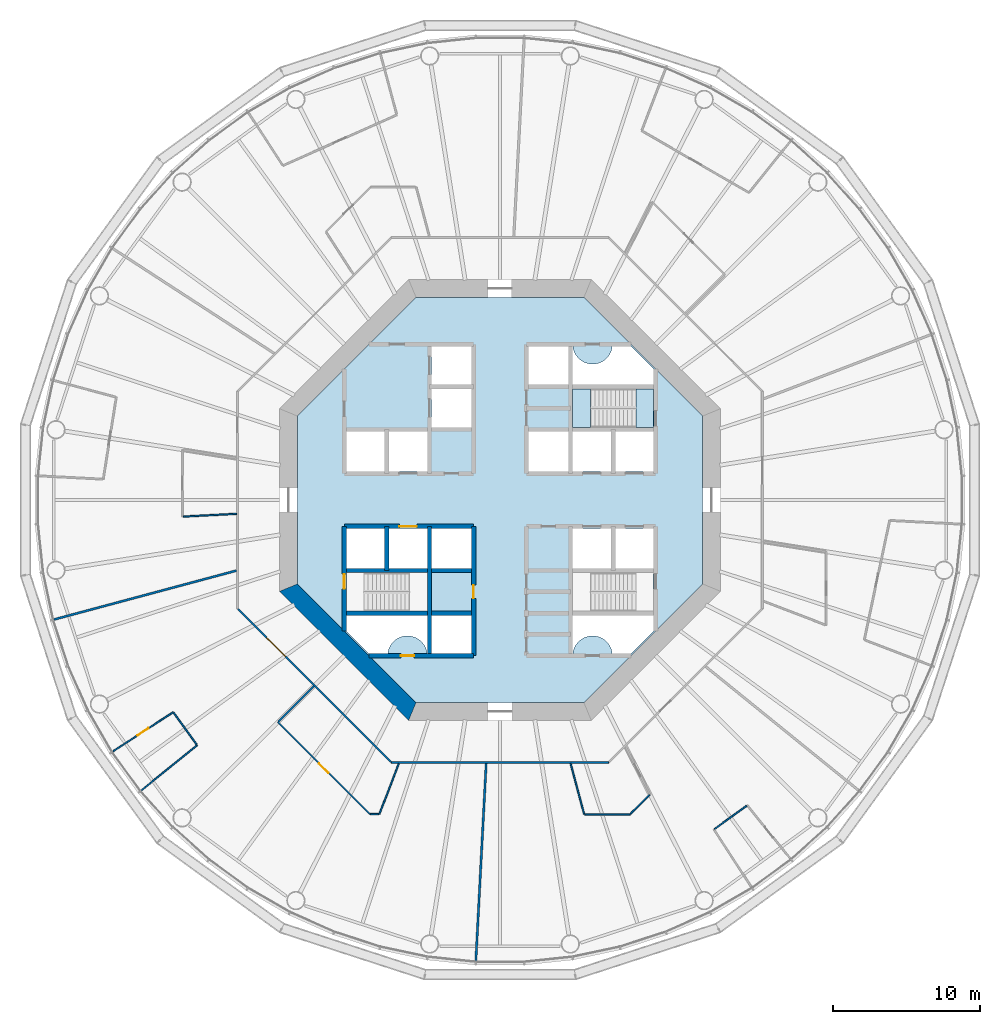
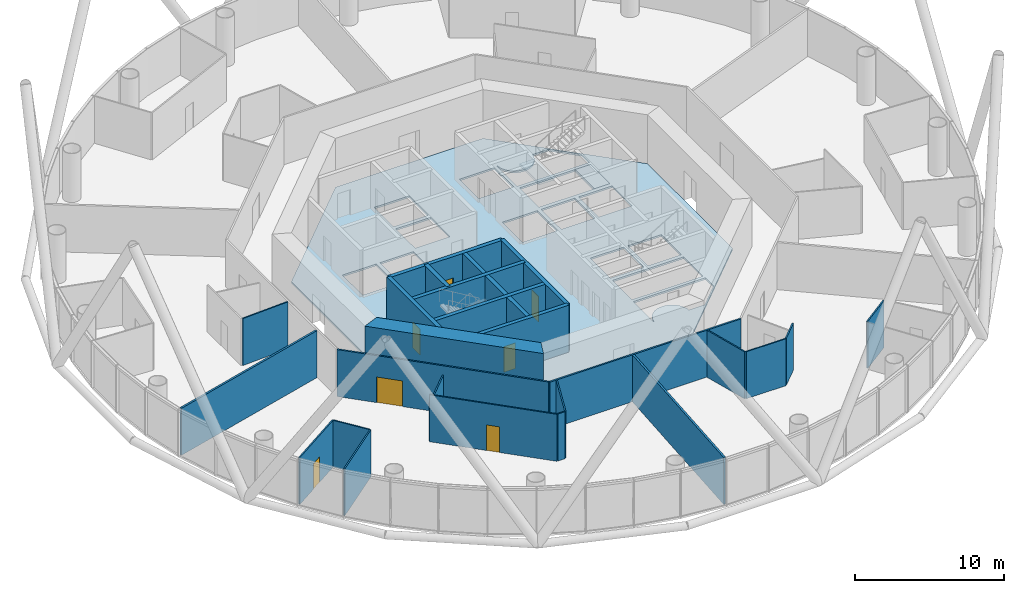
# One storey, part 3 of 14: 25 walls, 7 doors, 3 slabs, 7 openings, 1 element without a shape of its own.
"""IFC4 building model written with IfcOpenShell, lengths in metres."""

import ifcopenshell
import ifcopenshell.guid

model = None  # the IFC model being written
_history = None  # IfcOwnerHistory: only IFC2X3 demands one
_inside = {}  # id of a spatial element -> (the spatial element, [elements in it])
_under = {}  # id of a project, library or spatial element -> (it, [spatial elements below it])
_declared = {}  # id of a project -> (the project, [libraries it declares])
_typed = {}  # id of a type object -> (the type object, [elements of that type])
_made_of = {}  # id of a material, layer set ... -> (it, [elements and type objects made of it])


def new_model(schema):
    """Start an empty IFC model of exactly this schema.

    Asked for "IFC4X3", IfcOpenShell would pick the latest addendum, in which some entities
    have other attributes; the version numbers below select the first issue.
    IFC2X3 requires an IfcOwnerHistory on every rooted entity: one is made here for all.
    """
    global model, _history
    if schema == "IFC4X3":
        model = ifcopenshell.file(schema_version=(4, 3, 0, 0))
    else:
        model = ifcopenshell.file(schema=schema)
    _inside.clear()
    _under.clear()
    _declared.clear()
    _typed.clear()
    _made_of.clear()
    _history = None
    if model.schema == "IFC2X3":
        org = make("IfcOrganization", Name="unknown")
        user = make(
            "IfcPersonAndOrganization",
            ThePerson=make("IfcPerson", FamilyName="unknown"),
            TheOrganization=org,
        )
        app = make(
            "IfcApplication",
            ApplicationDeveloper=org,
            Version="unknown",
            ApplicationFullName="unknown",
            ApplicationIdentifier="unknown",
        )
        _history = make(
            "IfcOwnerHistory",
            OwningUser=user,
            OwningApplication=app,
            ChangeAction="ADDED",
            CreationDate=0,
        )
    return model


def make(cls, **values):
    """One entity of the class cls with the attributes given. An attribute that is None is left unset."""
    return model.create_entity(
        cls, **{name: value for name, value in values.items() if value is not None}
    )


def rooted(cls, **values):
    """An entity with a GlobalId (a new one), such as an element, a storey or a relation."""
    return make(cls, GlobalId=ifcopenshell.guid.new(), OwnerHistory=_history, **values)


def si_unit(unit_type, name, prefix=None):
    """IfcSIUnit, for example si_unit("LENGTHUNIT", "METRE", prefix="MILLI")."""
    return make("IfcSIUnit", UnitType=unit_type, Prefix=prefix, Name=name)


def assignment(units):
    """IfcUnitAssignment: the units of a project."""
    return None if units is None else make("IfcUnitAssignment", Units=units)


def point(xyz):
    """IfcCartesianPoint."""
    return None if xyz is None else make("IfcCartesianPoint", Coordinates=xyz)


def direction(xyz):
    """IfcDirection."""
    return None if xyz is None else make("IfcDirection", DirectionRatios=xyz)


def frame(location, z_axis=None, x_axis=None):
    """IfcAxis2Placement3D, a coordinate frame: its origin and axes. An axis left out is left unset."""
    return make(
        "IfcAxis2Placement3D",
        Location=point(location),
        Axis=direction(z_axis),
        RefDirection=direction(x_axis),
    )


def frame_2d(location, x_axis=None):
    """IfcAxis2Placement2D, a coordinate frame in the plane: its origin and x axis."""
    return make(
        "IfcAxis2Placement2D", Location=point(location), RefDirection=direction(x_axis)
    )


def origin():
    """The frame at (0, 0, 0) with its axes left unset."""
    return frame((0.0, 0.0, 0.0))


def place(relative_to, where):
    """IfcLocalPlacement: puts the frame where relative to a parent placement (None: the world)."""
    return make(
        "IfcLocalPlacement", PlacementRelTo=relative_to, RelativePlacement=where
    )


def context(
    kind, dimensions, precision=None, world=None, true_north=None, identifier=None
):
    """IfcGeometricRepresentationContext, for example the 3D "Model" context."""
    return make(
        "IfcGeometricRepresentationContext",
        ContextIdentifier=identifier,
        ContextType=kind,
        CoordinateSpaceDimension=dimensions,
        Precision=precision,
        WorldCoordinateSystem=world,
        TrueNorth=true_north,
    )


def subcontext(parent, identifier, kind, view, scale=None):
    """IfcGeometricRepresentationSubContext, for example "Body" below "Model"."""
    return make(
        "IfcGeometricRepresentationSubContext",
        ContextIdentifier=identifier,
        ContextType=kind,
        ParentContext=parent,
        TargetScale=scale,
        TargetView=view,
    )


def project(units=None, contexts=None):
    """IfcProject with its units and contexts."""
    return rooted(
        "IfcProject",
        Name="project",
        RepresentationContexts=contexts,
        UnitsInContext=assignment(units),
    )


def spatial(cls, under=None, at=None, **own):
    """A site, building, storey or space (cls), placed at a placement, below another one or the project."""
    s = rooted(cls, ObjectPlacement=at, **own)
    if under is not None:
        _under.setdefault(under.id(), (under, []))[1].append(s)
    return s


def polyline(points):
    """IfcPolyline through the points."""
    return make("IfcPolyline", Points=[point(p) for p in points])


def profile(cls, at=None, kind="AREA", **sizes):
    """A parametric profile (cls). Its sizes go by their IFC names, for example OverallWidth=200.0."""
    return make(cls, ProfileType=kind, Position=at, **sizes)


def rectangle(**sizes):
    """IfcRectangleProfileDef."""
    return profile("IfcRectangleProfileDef", **sizes)


def outline(outer, holes=None, kind="AREA"):
    """IfcArbitraryClosedProfileDef: a profile drawn as a closed curve; with holes, ...WithVoids."""
    if holes is None:
        return make("IfcArbitraryClosedProfileDef", ProfileType=kind, OuterCurve=outer)
    return make(
        "IfcArbitraryProfileDefWithVoids",
        ProfileType=kind,
        OuterCurve=outer,
        InnerCurves=holes,
    )


def extrude(swept, where, along, depth):
    """IfcExtrudedAreaSolid: the profile swept, set in the frame where, extruded along a direction by depth."""
    return make(
        "IfcExtrudedAreaSolid",
        SweptArea=swept,
        Position=where,
        ExtrudedDirection=direction(along),
        Depth=depth,
    )


def shape(context_of_items, identifier, shape_type, items):
    """IfcShapeRepresentation: the items that make up one representation, for example the "Body"."""
    return make(
        "IfcShapeRepresentation",
        ContextOfItems=context_of_items,
        RepresentationIdentifier=identifier,
        RepresentationType=shape_type,
        Items=items,
    )


def material(Name=None, Category=None):
    """IfcMaterial."""
    return make("IfcMaterial", Name=Name, Category=Category)


def layer(
    of_material, thickness, ventilated=None, Name=None, Category=None, Priority=None
):
    """IfcMaterialLayer: one layer of a wall or slab, of a material (None: an air gap)."""
    return make(
        "IfcMaterialLayer",
        Material=of_material,
        LayerThickness=thickness,
        IsVentilated=ventilated,
        Name=Name,
        Category=Category,
        Priority=Priority,
    )


def layer_set(layers, Name=None):
    """IfcMaterialLayerSet."""
    return make("IfcMaterialLayerSet", MaterialLayers=layers, LayerSetName=Name)


def made_of(thing, what):
    """Note that an element or type object is made of a material, layer set ...; save() writes the relation."""
    if what is not None:
        _made_of.setdefault(what.id(), (what, []))[1].append(thing)
    return thing


def type_object(cls, material=None, **own):
    """A type object (cls), such as IfcWallType, which elements share."""
    return made_of(rooted(cls, **own), material)


def element(
    cls,
    number,
    at=None,
    inside=None,
    cuts=None,
    type_object=None,
    material=None,
    context=None,
    identifier="Body",
    shape_type=None,
    held_by="IfcProductDefinitionShape",
    body=None,
    shapes=None,
    **own,
):
    """One element of the class cls, such as IfcWall. Its Tag is "e" and its number.

    at: its placement. inside: the storey or other place that contains it. cuts: it is an
    opening in that element (IfcRelVoidsElement). A single representation is given by context,
    identifier, shape_type and body (its items); several are given by shapes. held_by: the class
    of the entity that holds the representations. save() writes the other relations.
    """
    e = rooted(cls, Tag="e%d" % number, ObjectPlacement=at, **own)
    if body is not None:
        shapes = [shape(context, identifier, shape_type, body)]
    if shapes is not None:
        e.Representation = make(held_by, Representations=shapes)
    if inside is not None:
        _inside.setdefault(inside.id(), (inside, []))[1].append(e)
    if cuts is not None:
        rooted(
            "IfcRelVoidsElement", RelatingBuildingElement=cuts, RelatedOpeningElement=e
        )
    if type_object is not None:
        _typed.setdefault(type_object.id(), (type_object, []))[1].append(e)
    return made_of(e, material)


def fill(opening, filler):
    """IfcRelFillsElement: the door or window that sits in an opening."""
    return rooted(
        "IfcRelFillsElement",
        RelatingOpeningElement=opening,
        RelatedBuildingElement=filler,
    )


def aggregate(whole, parts):
    """IfcRelAggregates: a whole, such as a stair, and the parts it consists of."""
    return rooted("IfcRelAggregates", RelatingObject=whole, RelatedObjects=parts)


def save(model, path):
    """Write the relations noted so far, then the file.

    IfcRelAggregates (storeys below a building ...), IfcRelContainedInSpatialStructure (elements
    in a storey), IfcRelDefinesByType, IfcRelAssociatesMaterial and IfcRelDeclares: one each for
    every whole, place, type object, material and project.
    """
    for whole, parts in _under.values():
        aggregate(whole, parts)
    for where, things in _inside.values():
        rooted(
            "IfcRelContainedInSpatialStructure",
            RelatedElements=things,
            RelatingStructure=where,
        )
    for kind, things in _typed.values():
        rooted("IfcRelDefinesByType", RelatedObjects=things, RelatingType=kind)
    for what, things in _made_of.values():
        rooted("IfcRelAssociatesMaterial", RelatedObjects=things, RelatingMaterial=what)
    for by, libraries in _declared.values():
        rooted("IfcRelDeclares", RelatingContext=by, RelatedDefinitions=libraries)
    model.write(path)


model = new_model("IFC4")

# Units and contexts
model_context = context("Model", 3, precision=1e-05, world=origin(), true_north=direction((0.0, 1.0)))
body_context = subcontext(model_context, "Body", "Model", "MODEL_VIEW")
ifc_project = project(units=[si_unit("LENGTHUNIT", "METRE"), si_unit("AREAUNIT", "SQUARE_METRE"), si_unit("VOLUMEUNIT", "CUBIC_METRE"), si_unit("PLANEANGLEUNIT", "RADIAN"), si_unit("MASSUNIT", "GRAM", prefix="KILO")], contexts=[model_context])

# Site, building, storey
site_placement = place(None, origin())
site = spatial("IfcSite", under=ifc_project, at=site_placement, CompositionType="ELEMENT")
building_placement = place(site_placement, origin())
building = spatial("IfcBuilding", under=site, at=building_placement, Name="Entoto Ring Tower", CompositionType="ELEMENT")
storey_placement = place(building_placement, frame((0.0, 0.0, 80.0)))
storey = spatial("IfcBuildingStorey", under=building, at=storey_placement, Name="L17", CompositionType="ELEMENT", Elevation=80.0)

# Slab
ifc_material_1 = material(Name="Concrete C40/50", Category="concrete")
ifc_layer_1 = layer(ifc_material_1, 0.14990234375)
ifc_layer_set_1 = layer_set([ifc_layer_1], Name="Concrete C40/50")
slab_type_1 = type_object("IfcSlabType", Name="Core floor slab 150 mm reinforced concrete C40/50", PredefinedType="FLOOR", material=ifc_layer_set_1)
slab_1_placement = place(storey_placement, frame((0.0, 0.0, -0.14990234375)))
element("IfcSlab", 1, at=slab_1_placement, inside=storey, type_object=slab_type_1, Name="Core floor L17", PredefinedType="FLOOR", context=body_context, shape_type="SweptSolid", body=[
    extrude(outline(polyline([(103.800048828125, 74.283935546875), (103.800048828125, 85.716064453125), (95.716064453125, 93.800048828125), (84.283935546875, 93.800048828125), (76.199951171875, 85.716064453125), (76.199951171875, 74.283935546875), (84.283935546875, 66.199951171875), (95.716064453125, 66.199951171875), (103.800048828125, 74.283935546875)]), holes=[polyline([(100.449951171875, 84.949951171875), (100.449951171875, 87.550048828125), (94.949951171875, 87.550048828125), (94.949951171875, 84.949951171875), (100.449951171875, 84.949951171875)]), polyline([(85.050048828125, 72.449951171875), (85.050048828125, 75.050048828125), (79.550048828125, 75.050048828125), (79.550048828125, 72.449951171875), (85.050048828125, 72.449951171875)]), polyline([(100.449951171875, 72.449951171875), (100.449951171875, 75.050048828125), (94.949951171875, 75.050048828125), (94.949951171875, 72.449951171875), (100.449951171875, 72.449951171875)]), polyline([(94.949951171875, 81.949951171875), (97.550048828125, 81.949951171875), (97.550048828125, 84.64990234375), (94.949951171875, 84.64990234375), (94.949951171875, 81.949951171875)]), polyline([(97.85009765625, 81.949951171875), (100.449951171875, 81.949951171875), (100.449951171875, 84.64990234375), (97.85009765625, 84.64990234375), (97.85009765625, 81.949951171875)]), polyline([(82.449951171875, 81.949951171875), (85.050048828125, 81.949951171875), (85.050048828125, 84.64990234375), (82.449951171875, 84.64990234375), (82.449951171875, 81.949951171875)]), polyline([(94.949951171875, 75.35009765625), (97.550048828125, 75.35009765625), (97.550048828125, 78.050048828125), (94.949951171875, 78.050048828125), (94.949951171875, 75.35009765625)]), polyline([(97.85009765625, 75.35009765625), (100.449951171875, 75.35009765625), (100.449951171875, 78.050048828125), (97.85009765625, 78.050048828125), (97.85009765625, 75.35009765625)]), polyline([(82.449951171875, 75.35009765625), (85.050048828125, 75.35009765625), (85.050048828125, 78.050048828125), (82.449951171875, 78.050048828125), (82.449951171875, 75.35009765625)]), polyline([(79.550048828125, 81.949951171875), (82.14990234375, 81.949951171875), (82.14990234375, 84.64990234375), (79.550048828125, 84.64990234375), (79.550048828125, 81.949951171875)]), polyline([(79.550048828125, 75.35009765625), (82.14990234375, 75.35009765625), (82.14990234375, 78.050048828125), (79.550048828125, 78.050048828125), (79.550048828125, 75.35009765625)]), polyline([(91.949951171875, 87.85009765625), (94.64990234375, 87.85009765625), (94.64990234375, 90.449951171875), (91.949951171875, 90.449951171875), (91.949951171875, 87.85009765625)]), polyline([(85.35009765625, 69.550048828125), (88.050048828125, 69.550048828125), (88.050048828125, 72.14990234375), (85.35009765625, 72.14990234375), (85.35009765625, 69.550048828125)]), polyline([(91.949951171875, 81.949951171875), (94.64990234375, 81.949951171875), (94.64990234375, 84.64990234375), (91.949951171875, 84.64990234375), (91.949951171875, 81.949951171875)]), polyline([(85.35009765625, 75.35009765625), (88.050048828125, 75.35009765625), (88.050048828125, 78.050048828125), (85.35009765625, 78.050048828125), (85.35009765625, 75.35009765625)]), polyline([(85.35009765625, 84.949951171875), (88.050048828125, 84.949951171875), (88.050048828125, 87.550048828125), (85.35009765625, 87.550048828125), (85.35009765625, 84.949951171875)]), polyline([(85.35009765625, 87.85009765625), (88.050048828125, 87.85009765625), (88.050048828125, 90.449951171875), (85.35009765625, 90.449951171875), (85.35009765625, 87.85009765625)]), polyline([(94.89990234375, 90.5), (94.89990234375, 87.800048828125), (100.5, 87.800048828125), (100.5, 88.874755859375), (98.874755859375, 90.5), (97.64501953125, 90.5), (97.6435546875, 90.4677734375), (97.6240234375, 90.336669921875), (97.591796875, 90.2080078125), (97.547119140625, 90.08349609375), (97.490478515625, 89.963623046875), (97.422607421875, 89.85009765625), (97.343505859375, 89.74365234375), (97.254638671875, 89.6455078125), (97.156494140625, 89.556396484375), (97.050048828125, 89.4775390625), (96.936279296875, 89.409423828125), (96.816650390625, 89.352783203125), (96.69189453125, 89.30810546875), (96.5634765625, 89.27587890625), (96.432373046875, 89.256591796875), (96.300048828125, 89.25), (96.167724609375, 89.256591796875), (96.03662109375, 89.27587890625), (95.908203125, 89.30810546875), (95.783447265625, 89.352783203125), (95.66357421875, 89.409423828125), (95.550048828125, 89.4775390625), (95.443603515625, 89.556396484375), (95.345458984375, 89.6455078125), (95.25634765625, 89.74365234375), (95.177490234375, 89.85009765625), (95.109375, 89.963623046875), (95.052734375, 90.08349609375), (95.008056640625, 90.2080078125), (94.975830078125, 90.336669921875), (94.95654296875, 90.4677734375), (94.954833984375, 90.5), (94.89990234375, 90.5)]), polyline([(79.5, 71.125244140625), (81.125244140625, 69.5), (82.35498046875, 69.5), (82.3564453125, 69.5322265625), (82.3759765625, 69.663330078125), (82.408203125, 69.7919921875), (82.452880859375, 69.91650390625), (82.509521484375, 70.036376953125), (82.577392578125, 70.14990234375), (82.656494140625, 70.25634765625), (82.745361328125, 70.3544921875), (82.843505859375, 70.443603515625), (82.949951171875, 70.5224609375), (83.063720703125, 70.590576171875), (83.183349609375, 70.647216796875), (83.30810546875, 70.69189453125), (83.4365234375, 70.72412109375), (83.567626953125, 70.743408203125), (83.699951171875, 70.75), (83.832275390625, 70.743408203125), (83.96337890625, 70.72412109375), (84.091796875, 70.69189453125), (84.216552734375, 70.647216796875), (84.33642578125, 70.590576171875), (84.449951171875, 70.5224609375), (84.556396484375, 70.443603515625), (84.654541015625, 70.3544921875), (84.74365234375, 70.25634765625), (84.822509765625, 70.14990234375), (84.890625, 70.036376953125), (84.947265625, 69.91650390625), (84.991943359375, 69.7919921875), (85.024169921875, 69.663330078125), (85.04345703125, 69.5322265625), (85.045166015625, 69.5), (85.10009765625, 69.5), (85.10009765625, 72.199951171875), (79.5, 72.199951171875), (79.5, 71.125244140625)]), polyline([(97.64501953125, 69.5), (98.874755859375, 69.5), (100.5, 71.125244140625), (100.5, 72.199951171875), (94.89990234375, 72.199951171875), (94.89990234375, 69.5), (94.954833984375, 69.5), (94.95654296875, 69.5322265625), (94.975830078125, 69.663330078125), (95.008056640625, 69.7919921875), (95.052734375, 69.91650390625), (95.109375, 70.036376953125), (95.177490234375, 70.14990234375), (95.25634765625, 70.25634765625), (95.345458984375, 70.3544921875), (95.443603515625, 70.443603515625), (95.550048828125, 70.5224609375), (95.66357421875, 70.590576171875), (95.783447265625, 70.647216796875), (95.908203125, 70.69189453125), (96.03662109375, 70.72412109375), (96.167724609375, 70.743408203125), (96.300048828125, 70.75), (96.432373046875, 70.743408203125), (96.5634765625, 70.72412109375), (96.69189453125, 70.69189453125), (96.816650390625, 70.647216796875), (96.936279296875, 70.590576171875), (97.050048828125, 70.5224609375), (97.156494140625, 70.443603515625), (97.254638671875, 70.3544921875), (97.343505859375, 70.25634765625), (97.422607421875, 70.14990234375), (97.490478515625, 70.036376953125), (97.547119140625, 69.91650390625), (97.591796875, 69.7919921875), (97.6240234375, 69.663330078125), (97.6435546875, 69.5322265625), (97.64501953125, 69.5)])]), origin(), (0.0, 0.0, 1.0), 0.14990234375),
])

# Stair, slabs
ifc_material_2 = material(Name="Concrete C40/50", Category="concrete")
stair_type = type_object("IfcStairType", Name="Exit stair 1200 mm dog-leg reinforced concrete", PredefinedType="HALF_TURN_STAIR", material=ifc_material_2)
stair_placement = place(storey_placement, origin())
stair = element("IfcStair", 2, at=stair_placement, inside=storey, type_object=stair_type, Name="Exit stair 1", PredefinedType="HALF_TURN_STAIR")
ifc_material_3 = material(Name="Concrete C40/50", Category="concrete")
ifc_layer_2 = layer(ifc_material_3, 0.199951171875)
ifc_layer_set_2 = layer_set([ifc_layer_2], Name="Concrete C40/50")
slab_type_2 = type_object("IfcSlabType", Name="Stair landing 200 mm reinforced concrete", PredefinedType="LANDING", material=ifc_layer_set_2)
slab_2_placement = place(storey_placement, frame((0.0, 0.0, -0.199951171875)))
slab_2 = element("IfcSlab", 3, at=slab_2_placement, type_object=slab_type_2, Name="ST1 landing 1", PredefinedType="LANDING", context=body_context, shape_type="SweptSolid", body=[
    extrude(outline(polyline([(100.449951171875, 84.949951171875), (100.449951171875, 87.550048828125), (99.25, 87.550048828125), (99.25, 84.949951171875), (100.449951171875, 84.949951171875)])), origin(), (0.0, 0.0, 1.0), 0.199951171875),
])
slab_3_placement = place(storey_placement, frame((0.0, 0.0, 1.800048828125)))
slab_3 = element("IfcSlab", 4, at=slab_3_placement, type_object=slab_type_2, Name="ST1 landing 2", PredefinedType="LANDING", context=body_context, shape_type="SweptSolid", body=[
    extrude(outline(polyline([(94.949951171875, 84.949951171875), (96.169921875, 84.949951171875), (96.169921875, 87.550048828125), (94.949951171875, 87.550048828125), (94.949951171875, 84.949951171875)])), origin(), (0.0, 0.0, 1.0), 0.199951171875),
])
aggregate(stair, [slab_2, slab_3])

# Wall, opening, door
ifc_material_4 = material(Name="Concrete C40/50", Category="concrete")
ifc_layer_3 = layer(ifc_material_4, 0.300048828125)
ifc_layer_set_3 = layer_set([ifc_layer_3], Name="Concrete C40/50")
wall_type_1 = type_object("IfcWallType", Name="Core enclosure wall 300 mm reinforced concrete", PredefinedType="SOLIDWALL", material=ifc_layer_set_3)
wall_1_placement = place(storey_placement, frame((88.199951171875, 69.39990234375, 0.0), z_axis=(0.0, 0.0, 1.0), x_axis=(0.0, 1.0, 0.0)))
wall_1 = element("IfcWall", 5, at=wall_1_placement, inside=storey, type_object=wall_type_1, Name="wall-L17-009", PredefinedType="SOLIDWALL", context=body_context, shape_type="SweptSolid", body=[
    extrude(rectangle(XDim=8.800048828125, YDim=0.300048828125, at=frame_2d((4.39990234375, 0.0))), origin(), (0.0, 0.0, 1.0), 3.85009765625),
])
opening_1_placement = place(wall_1_placement, frame((3.89990234375, 0.0, 0.0)))
opening_1 = element("IfcOpeningElement", 6, at=opening_1_placement, cuts=wall_1, Name="Opening K-57", PredefinedType="OPENING", context=body_context, shape_type="SweptSolid", body=[
    extrude(rectangle(XDim=0.89990234375, YDim=2.10009765625, at=frame_2d((0.449951171875, 1.050048828125))), frame((0.0, 0.16015625, 0.0), z_axis=(0.0, -1.0, 0.0), x_axis=(1.0, 0.0, 0.0)), (0.0, 0.0, 1.0), 0.320068359375),
])
ifc_material_5 = material(Name="Steel door leaf, fire rated", Category="steel")
ifc_layer_4 = layer(ifc_material_5, 0.050048828125)
ifc_layer_set_4 = layer_set([ifc_layer_4], Name="Steel door leaf, fire rated")
door_type_1 = type_object("IfcDoorType", Name="Core door 900 x 2100 single leaf", OperationType="NOTDEFINED", PredefinedType="DOOR", material=ifc_layer_set_4)
door_1_placement = place(opening_1_placement, origin())
door_1 = element("IfcDoor", 7, at=door_1_placement, inside=storey, type_object=door_type_1, Name="Door K-57", OperationType="SINGLE_SWING_RIGHT", OverallHeight=2.10009765625, OverallWidth=0.89990234375, PredefinedType="DOOR", context=body_context, shape_type="SweptSolid", body=[
    extrude(rectangle(XDim=0.89990234375, YDim=2.10009765625, at=frame_2d((0.449951171875, 1.050048828125))), frame((0.0, 0.02490234375, 0.0), z_axis=(0.0, -1.0, 0.0), x_axis=(1.0, 0.0, 0.0)), (0.0, 0.0, 1.0), 0.050048828125),
])
fill(opening_1, door_1)

# Walls
wall_2_placement = place(storey_placement, frame((85.199951171875, 69.39990234375, 0.0), z_axis=(0.0, 0.0, 1.0), x_axis=(0.0, 1.0, 0.0)))
element("IfcWall", 8, at=wall_2_placement, inside=storey, type_object=wall_type_1, Name="wall-L17-011", PredefinedType="SOLIDWALL", context=body_context, shape_type="SweptSolid", body=[
    extrude(rectangle(XDim=8.800048828125, YDim=0.300048828125, at=frame_2d((4.39990234375, 0.0))), origin(), (0.0, 0.0, 1.0), 3.85009765625),
])
wall_3_placement = place(storey_placement, frame((82.300048828125, 75.199951171875, 0.0), z_axis=(0.0, 0.0, 1.0), x_axis=(0.0, 1.0, 0.0)))
element("IfcWall", 9, at=wall_3_placement, inside=storey, type_object=wall_type_1, Name="wall-L17-013", PredefinedType="SOLIDWALL", context=body_context, shape_type="SweptSolid", body=[
    extrude(rectangle(XDim=3.0, YDim=0.300048828125, at=frame_2d((1.5, 0.0))), origin(), (0.0, 0.0, 1.0), 3.85009765625),
])

# Wall, opening, door
wall_4_placement = place(storey_placement, frame((79.39990234375, 71.083984375, 0.0), z_axis=(0.0, 0.0, 1.0), x_axis=(0.0, 1.0, 0.0)))
wall_4 = element("IfcWall", 10, at=wall_4_placement, inside=storey, type_object=wall_type_1, Name="wall-L17-015", PredefinedType="SOLIDWALL", context=body_context, shape_type="SweptSolid", body=[
    extrude(rectangle(XDim=7.115966796875, YDim=0.300048828125, at=frame_2d((3.55810546875, 0.0))), origin(), (0.0, 0.0, 1.0), 3.85009765625),
])
opening_2_placement = place(wall_4_placement, frame((2.8662109375, 0.0, 0.0)))
opening_2 = element("IfcOpeningElement", 11, at=opening_2_placement, cuts=wall_4, Name="Opening K-67", PredefinedType="OPENING", context=body_context, shape_type="SweptSolid", body=[
    extrude(rectangle(XDim=1.0, YDim=2.10009765625, at=frame_2d((0.5, 1.050048828125))), frame((0.0, 0.16015625, 0.0), z_axis=(0.0, -1.0, 0.0), x_axis=(1.0, 0.0, 0.0)), (0.0, 0.0, 1.0), 0.320068359375),
])
ifc_material_6 = material(Name="Steel door leaf, fire rated", Category="steel")
ifc_layer_5 = layer(ifc_material_6, 0.050048828125)
ifc_layer_set_5 = layer_set([ifc_layer_5], Name="Steel door leaf, fire rated")
door_type_2 = type_object("IfcDoorType", Name="Fire door FD60 1000 x 2100 single leaf", OperationType="NOTDEFINED", PredefinedType="DOOR", material=ifc_layer_set_5)
door_2_placement = place(opening_2_placement, frame((1.0, 0.0, 0.0), z_axis=(0.0, 0.0, 1.0), x_axis=(-1.0, 0.0, 0.0)))
door_2 = element("IfcDoor", 12, at=door_2_placement, inside=storey, type_object=door_type_2, Name="Door K-67", OperationType="SINGLE_SWING_LEFT", OverallHeight=2.10009765625, OverallWidth=1.0, PredefinedType="DOOR", context=body_context, shape_type="SweptSolid", body=[
    extrude(rectangle(XDim=1.0, YDim=2.10009765625, at=frame_2d((0.5, 1.050048828125))), frame((0.0, 0.02490234375, 0.0), z_axis=(0.0, -1.0, 0.0), x_axis=(1.0, 0.0, 0.0)), (0.0, 0.0, 1.0), 0.050048828125),
])
fill(opening_2, door_2)

wall_5_placement = place(storey_placement, frame((81.083984375, 69.39990234375, 0.0), z_axis=(0.0, 0.0, 1.0), x_axis=(1.0, 0.0, 0.0)))
wall_5 = element("IfcWall", 13, at=wall_5_placement, inside=storey, type_object=wall_type_1, Name="wall-L17-017", PredefinedType="SOLIDWALL", context=body_context, shape_type="SweptSolid", body=[
    extrude(rectangle(XDim=7.115966796875, YDim=0.300048828125, at=frame_2d((3.55810546875, 0.0))), origin(), (0.0, 0.0, 1.0), 3.85009765625),
])
opening_3_placement = place(wall_5_placement, frame((2.166015625, 0.0, 0.0)))
opening_3 = element("IfcOpeningElement", 14, at=opening_3_placement, cuts=wall_5, Name="Opening K-74", PredefinedType="OPENING", context=body_context, shape_type="SweptSolid", body=[
    extrude(rectangle(XDim=0.89990234375, YDim=2.10009765625, at=frame_2d((0.449951171875, 1.050048828125))), frame((0.0, 0.16015625, 0.0), z_axis=(0.0, -1.0, 0.0), x_axis=(1.0, 0.0, 0.0)), (0.0, 0.0, 1.0), 0.320068359375),
])
ifc_material_7 = material(Name="Steel door leaf, fire rated", Category="steel")
ifc_layer_6 = layer(ifc_material_7, 0.050048828125)
ifc_layer_set_6 = layer_set([ifc_layer_6], Name="Steel door leaf, fire rated")
door_type_3 = type_object("IfcDoorType", Name="Riser door FD60 900 x 2100 single leaf", OperationType="NOTDEFINED", PredefinedType="DOOR", material=ifc_layer_set_6)
door_3_placement = place(opening_3_placement, origin())
door_3 = element("IfcDoor", 15, at=door_3_placement, inside=storey, type_object=door_type_3, Name="Door K-74", OperationType="SINGLE_SWING_RIGHT", OverallHeight=2.10009765625, OverallWidth=0.89990234375, PredefinedType="DOOR", context=body_context, shape_type="SweptSolid", body=[
    extrude(rectangle(XDim=0.89990234375, YDim=2.10009765625, at=frame_2d((0.449951171875, 1.050048828125))), frame((0.0, 0.02490234375, 0.0), z_axis=(0.0, -1.0, 0.0), x_axis=(1.0, 0.0, 0.0)), (0.0, 0.0, 1.0), 0.050048828125),
])
fill(opening_3, door_3)

# Walls
for number, where, z_axis, x_axis, name in (
    (16, (79.39990234375, 72.300048828125, 0.0), (0.0, 0.0, 1.0), (1.0, 0.0, 0.0), "wall-L17-020"),
    (17, (79.39990234375, 75.199951171875, 0.0), (0.0, 0.0, 1.0), (1.0, 0.0, 0.0), "wall-L17-023"),
):
    element("IfcWall", number, at=place(storey_placement, frame(where, z_axis=z_axis, x_axis=x_axis)), inside=storey, type_object=wall_type_1, Name=name, PredefinedType="SOLIDWALL", context=body_context, shape_type="SweptSolid", body=[
        extrude(rectangle(XDim=8.800048828125, YDim=0.300048828125, at=frame_2d((4.39990234375, 0.0))), origin(), (0.0, 0.0, 1.0), 3.85009765625),
    ])

# Wall, opening, door
wall_6_placement = place(storey_placement, frame((79.39990234375, 78.199951171875, 0.0), z_axis=(0.0, 0.0, 1.0), x_axis=(1.0, 0.0, 0.0)))
wall_6 = element("IfcWall", 18, at=wall_6_placement, inside=storey, type_object=wall_type_1, Name="wall-L17-025", PredefinedType="SOLIDWALL", context=body_context, shape_type="SweptSolid", body=[
    extrude(rectangle(XDim=8.800048828125, YDim=0.300048828125, at=frame_2d((4.39990234375, 0.0))), origin(), (0.0, 0.0, 1.0), 3.85009765625),
])
opening_4_placement = place(wall_6_placement, frame((3.75, 0.0, 0.0)))
opening_4 = element("IfcOpeningElement", 19, at=opening_4_placement, cuts=wall_6, Name="Opening LD", PredefinedType="OPENING", context=body_context, shape_type="SweptSolid", body=[
    extrude(rectangle(XDim=1.199951171875, YDim=2.10009765625, at=frame_2d((0.60009765625, 1.050048828125))), frame((0.0, 0.16015625, 0.0), z_axis=(0.0, -1.0, 0.0), x_axis=(1.0, 0.0, 0.0)), (0.0, 0.0, 1.0), 0.320068359375),
])
ifc_material_8 = material(Name="Steel and glass door leaf", Category="steel")
ifc_layer_7 = layer(ifc_material_8, 0.050048828125)
ifc_layer_set_7 = layer_set([ifc_layer_7], Name="Steel and glass door leaf")
door_type_4 = type_object("IfcDoorType", Name="Landing door 1200 x 2100 sliding", OperationType="DOUBLE_DOOR_SLIDING", PredefinedType="DOOR", material=ifc_layer_set_7)
door_4_placement = place(opening_4_placement, origin())
door_4 = element("IfcDoor", 20, at=door_4_placement, inside=storey, type_object=door_type_4, Name="Landing door LB6-LR", OperationType="SLIDING_TO_RIGHT", OverallHeight=2.10009765625, OverallWidth=1.199951171875, PredefinedType="DOOR", context=body_context, shape_type="SweptSolid", body=[
    extrude(rectangle(XDim=1.199951171875, YDim=2.10009765625, at=frame_2d((0.60009765625, 1.050048828125))), frame((0.0, 0.02490234375, 0.0), z_axis=(0.0, -1.0, 0.0), x_axis=(1.0, 0.0, 0.0)), (0.0, 0.0, 1.0), 0.050048828125),
])
fill(opening_4, door_4)

# Walls
ifc_material_9 = material(Name="Concrete C60/75", Category="concrete")
ifc_layer_8 = layer(ifc_material_9, 1.199951171875)
ifc_layer_set_8 = layer_set([ifc_layer_8], Name="Concrete C60/75")
wall_type_2 = type_object("IfcWallType", Name="Core shear wall 1200 mm reinforced concrete C60/75", PredefinedType="SHEAR", material=ifc_layer_set_8)
wall_7_placement = place(storey_placement, frame((75.60009765625, 74.035400390625, 0.0), z_axis=(0.0, 0.0, 1.0), x_axis=(0.707106781187, -0.707106781187, 0.0)))
element("IfcWall", 21, at=wall_7_placement, inside=storey, type_object=wall_type_2, Name="wall-L17-core-5", PredefinedType="SHEAR", context=body_context, shape_type="SweptSolid", body=[
    extrude(outline(polyline([(-0.24853515625, -0.60009765625), (12.177734375, -0.60009765625), (11.6806640625, 0.60009765625), (0.24853515625, 0.60009765625), (-0.24853515625, -0.60009765625)])), origin(), (0.0, 0.0, 1.0), 4.0),
])
ifc_material_10 = material(Name="Fire-resisting plasterboard on steel studs", Category="steel")
ifc_layer_9 = layer(ifc_material_10, 0.125)
ifc_layer_set_9 = layer_set([ifc_layer_9], Name="Fire-resisting plasterboard on steel studs")
wall_type_3 = type_object("IfcWallType", Name="Corridor wall 125 mm one-hour plasterboard on steel studs", PredefinedType="PARTITIONING", material=ifc_layer_set_9)
wall_8_placement = place(storey_placement, frame((82.60107421875, 62.137451171875, 0.0), z_axis=(0.0, 0.0, 1.0), x_axis=(1.0, 0.0, 0.0)))
element("IfcWall", 22, at=wall_8_placement, inside=storey, type_object=wall_type_3, Name="partition-L17-002", PredefinedType="PARTITIONING", context=body_context, shape_type="SweptSolid", body=[
    extrude(rectangle(XDim=14.7978515625, YDim=0.125, at=frame_2d((7.39892578125, 0.0))), origin(), (0.0, 0.0, 1.0), 3.85009765625),
])

# Wall, opening, door
wall_9_placement = place(storey_placement, frame((82.570068359375, 62.168701171875, 0.0), z_axis=(0.0, 0.0, 1.0), x_axis=(-0.707106781187, 0.707106781187, 0.0)))
wall_9 = element("IfcWall", 23, at=wall_9_placement, inside=storey, type_object=wall_type_3, Name="partition-L17-006", PredefinedType="PARTITIONING", context=body_context, shape_type="SweptSolid", body=[
    extrude(rectangle(XDim=14.709716796875, YDim=0.125, at=frame_2d((7.35498046875, 0.0))), origin(), (0.0, 0.0, 1.0), 3.85009765625),
])
opening_5_placement = place(wall_9_placement, frame((10.154296875, 0.0, 0.0)))
opening_5 = element("IfcOpeningElement", 24, at=opening_5_placement, cuts=wall_9, Name="Opening A08-D13", PredefinedType="OPENING", context=body_context, shape_type="SweptSolid", body=[
    extrude(rectangle(XDim=1.800048828125, YDim=2.10009765625, at=frame_2d((0.89990234375, 1.050048828125))), frame((0.0, 0.072509765625, 0.0), z_axis=(0.0, -1.0, 0.0), x_axis=(1.0, 0.0, 0.0)), (0.0, 0.0, 1.0), 0.14501953125),
])
ifc_material_11 = material(Name="Fire-resisting timber door set", Category="wood")
door_type_5 = type_object("IfcDoorType", Name="Door 1800 x 2100 double leaf FD30S fire door", OperationType="DOUBLE_DOOR_SINGLE_SWING", PredefinedType="DOOR", material=ifc_material_11)
door_5_placement = place(opening_5_placement, origin())
door_5 = element("IfcDoor", 25, at=door_5_placement, inside=storey, type_object=door_type_5, Name="Door A08-D13", OperationType="DOUBLE_DOOR_SINGLE_SWING", OverallHeight=2.10009765625, OverallWidth=1.800048828125, PredefinedType="DOOR", context=body_context, shape_type="SweptSolid", body=[
    extrude(rectangle(XDim=1.800048828125, YDim=2.10009765625, at=frame_2d((0.89990234375, 1.050048828125))), frame((0.0, 0.02490234375, 0.0), z_axis=(0.0, -1.0, 0.0), x_axis=(1.0, 0.0, 0.0)), (0.0, 0.0, 1.0), 0.050048828125),
])
fill(opening_5, door_5)

ifc_material_12 = material(Name="Plasterboard on steel studs", Category="steel")
ifc_layer_10 = layer(ifc_material_12, 0.10009765625)
ifc_layer_set_10 = layer_set([ifc_layer_10], Name="Plasterboard on steel studs")
wall_type_4 = type_object("IfcWallType", Name="Partition 100 mm plasterboard on steel studs", PredefinedType="PARTITIONING", material=ifc_layer_set_10)
wall_10_placement = place(storey_placement, frame((81.14306640625, 58.617431640625, 0.0), z_axis=(0.0, 0.0, 1.0), x_axis=(-0.707092998638, 0.707120563467, 0.0)))
wall_10 = element("IfcWall", 26, at=wall_10_placement, inside=storey, type_object=wall_type_4, Name="partition-L17-015", PredefinedType="PARTITIONING", context=body_context, shape_type="SweptSolid", body=[
    extrude(rectangle(XDim=8.85693359375, YDim=0.10009765625, at=frame_2d((4.428466796875, 0.0))), origin(), (0.0, 0.0, 1.0), 3.85009765625),
])
opening_6_placement = place(wall_10_placement, frame((3.978515625, 0.0, 0.0)))
opening_6 = element("IfcOpeningElement", 27, at=opening_6_placement, cuts=wall_10, Name="Opening A08-D14", PredefinedType="OPENING", context=body_context, shape_type="SweptSolid", body=[
    extrude(rectangle(XDim=0.89990234375, YDim=2.10009765625, at=frame_2d((0.449951171875, 1.050048828125))), frame((0.0, 0.06005859375, 0.0), z_axis=(0.0, -1.0, 0.0), x_axis=(1.0, 0.0, 0.0)), (0.0, 0.0, 1.0), 0.1201171875),
])
ifc_material_13 = material(Name="Veneered timber door leaf in timber frame", Category="wood")
door_type_6 = type_object("IfcDoorType", Name="Door 900 x 2100 single leaf timber veneer", OperationType="NOTDEFINED", PredefinedType="DOOR", material=ifc_material_13)
door_6_placement = place(opening_6_placement, frame((0.89990234375, 0.0, 0.0), z_axis=(0.0, 0.0, 1.0), x_axis=(-1.0, 0.0, 0.0)))
door_6 = element("IfcDoor", 28, at=door_6_placement, inside=storey, type_object=door_type_6, Name="Door A08-D14", OperationType="SINGLE_SWING_LEFT", OverallHeight=2.10009765625, OverallWidth=0.89990234375, PredefinedType="DOOR", context=body_context, shape_type="SweptSolid", body=[
    extrude(rectangle(XDim=0.89990234375, YDim=2.10009765625, at=frame_2d((0.449951171875, 1.050048828125))), frame((0.0, 0.02490234375, 0.0), z_axis=(0.0, -1.0, 0.0), x_axis=(1.0, 0.0, 0.0)), (0.0, 0.0, 1.0), 0.050048828125),
])
fill(opening_6, door_6)

wall_11_placement = place(storey_placement, frame((63.632080078125, 62.87646484375, 0.0), z_axis=(0.0, 0.0, 1.0), x_axis=(0.838677075935, 0.544629013458, 0.0)))
wall_11 = element("IfcWall", 29, at=wall_11_placement, inside=storey, type_object=wall_type_4, Name="partition-L17-022", PredefinedType="PARTITIONING", context=body_context, shape_type="SweptSolid", body=[
    extrude(rectangle(XDim=4.920166015625, YDim=0.10009765625, at=frame_2d((2.4599609375, 0.0))), origin(), (0.0, 0.0, 1.0), 3.85009765625),
])
opening_7_placement = place(wall_11_placement, frame((2.010009765625, 0.0, 0.0)))
opening_7 = element("IfcOpeningElement", 30, at=opening_7_placement, cuts=wall_11, Name="Opening A08-D15", PredefinedType="OPENING", context=body_context, shape_type="SweptSolid", body=[
    extrude(rectangle(XDim=0.89990234375, YDim=2.10009765625, at=frame_2d((0.449951171875, 1.050048828125))), frame((0.0, 0.06005859375, 0.0), z_axis=(0.0, -1.0, 0.0), x_axis=(1.0, 0.0, 0.0)), (0.0, 0.0, 1.0), 0.1201171875),
])
door_7_placement = place(opening_7_placement, frame((0.89990234375, 0.0, 0.0), z_axis=(0.0, 0.0, 1.0), x_axis=(-1.0, 0.0, 0.0)))
door_7 = element("IfcDoor", 31, at=door_7_placement, inside=storey, type_object=door_type_6, Name="Door A08-D15", OperationType="SINGLE_SWING_RIGHT", OverallHeight=2.10009765625, OverallWidth=0.89990234375, PredefinedType="DOOR", context=body_context, shape_type="SweptSolid", body=[
    extrude(rectangle(XDim=0.89990234375, YDim=2.10009765625, at=frame_2d((0.449951171875, 1.050048828125))), frame((0.0, 0.02490234375, 0.0), z_axis=(0.0, -1.0, 0.0), x_axis=(1.0, 0.0, 0.0)), (0.0, 0.0, 1.0), 0.050048828125),
])
fill(opening_7, door_7)

# Walls
wall_12_placement = place(storey_placement, frame((65.56640625, 60.214111328125, 0.0), z_axis=(0.0, 0.0, 1.0), x_axis=(0.777166286513, 0.629295290867, 0.0)))
element("IfcWall", 32, at=wall_12_placement, inside=storey, type_object=wall_type_4, Name="partition-L17-023", PredefinedType="PARTITIONING", context=body_context, shape_type="SweptSolid", body=[
    extrude(rectangle(XDim=4.920166015625, YDim=0.10009765625, at=frame_2d((2.4599609375, 0.0))), origin(), (0.0, 0.0, 1.0), 3.85009765625),
])
wall_13_placement = place(storey_placement, frame((81.7919921875, 58.617431640625, 0.0), z_axis=(0.0, 0.0, 1.0), x_axis=(0.358352911107, 0.933586199074, 0.0)))
element("IfcWall", 33, at=wall_13_placement, inside=storey, type_object=wall_type_4, Name="partition-L17-041", PredefinedType="PARTITIONING", context=body_context, shape_type="SweptSolid", body=[
    extrude(rectangle(XDim=3.684326171875, YDim=0.10009765625, at=frame_2d((1.84228515625, 0.0))), origin(), (0.0, 0.0, 1.0), 3.85009765625),
])
wall_14_placement = place(storey_placement, frame((68.4501953125, 78.87060546875, 0.0), z_axis=(0.0, 0.0, 1.0), x_axis=(0.998628036572, 0.052364535449, 0.0)))
element("IfcWall", 34, at=wall_14_placement, inside=storey, type_object=wall_type_4, Name="partition-L17-042", PredefinedType="PARTITIONING", context=body_context, shape_type="SweptSolid", body=[
    extrude(rectangle(XDim=3.627197265625, YDim=0.10009765625, at=frame_2d((1.8134765625, 0.0))), origin(), (0.0, 0.0, 1.0), 3.85009765625),
])
wall_15_placement = place(storey_placement, frame((95.732177734375, 58.607421875, 0.0), z_axis=(0.0, 0.0, 1.0), x_axis=(-0.258835028784, 0.965921543333, 0.0)))
element("IfcWall", 35, at=wall_15_placement, inside=storey, type_object=wall_type_4, Name="partition-L17-044", PredefinedType="PARTITIONING", context=body_context, shape_type="SweptSolid", body=[
    extrude(rectangle(XDim=3.57666015625, YDim=0.10009765625, at=frame_2d((1.788330078125, 0.0))), origin(), (0.0, 0.0, 1.0), 3.85009765625),
])
wall_16_placement = place(storey_placement, frame((95.7802734375, 58.607421875, 0.0), z_axis=(0.0, 0.0, 1.0), x_axis=(1.0, 0.0, 0.0)))
element("IfcWall", 36, at=wall_16_placement, inside=storey, type_object=wall_type_4, Name="partition-L17-048", PredefinedType="PARTITIONING", context=body_context, shape_type="SweptSolid", body=[
    extrude(rectangle(XDim=3.080810546875, YDim=0.10009765625, at=frame_2d((1.54052734375, 0.0))), origin(), (0.0, 0.0, 1.0), 3.85009765625),
])
wall_17_placement = place(storey_placement, frame((104.60400390625, 57.603271484375, 0.0), z_axis=(0.0, 0.0, 1.0), x_axis=(0.809025440911, 0.587773626458, 0.0)))
element("IfcWall", 37, at=wall_17_placement, inside=storey, type_object=wall_type_4, Name="partition-L17-050", PredefinedType="PARTITIONING", context=body_context, shape_type="SweptSolid", body=[
    extrude(rectangle(XDim=2.698974609375, YDim=0.10009765625, at=frame_2d((1.349609375, 0.0))), origin(), (0.0, 0.0, 1.0), 3.85009765625),
])
wall_18_placement = place(storey_placement, frame((69.360595703125, 63.350830078125, 0.0), z_axis=(0.0, 0.0, 1.0), x_axis=(-0.587726783313, 0.809059471347, 0.0)))
element("IfcWall", 38, at=wall_18_placement, inside=storey, type_object=wall_type_4, Name="partition-L17-051", PredefinedType="PARTITIONING", context=body_context, shape_type="SweptSolid", body=[
    extrude(rectangle(XDim=2.676025390625, YDim=0.10009765625, at=frame_2d((1.337890625, 0.0))), origin(), (0.0, 0.0, 1.0), 3.85009765625),
])
wall_19_placement = place(storey_placement, frame((98.885986328125, 58.63232421875, 0.0), z_axis=(0.0, 0.0, 1.0), x_axis=(0.707039987933, 0.707173568131, 0.0)))
element("IfcWall", 39, at=wall_19_placement, inside=storey, type_object=wall_type_4, Name="partition-L17-052", PredefinedType="PARTITIONING", context=body_context, shape_type="SweptSolid", body=[
    extrude(rectangle(XDim=1.82763671875, YDim=0.10009765625, at=frame_2d((0.913818359375, 0.0))), origin(), (0.0, 0.0, 1.0), 3.85009765625),
])
wall_20_placement = place(storey_placement, frame((81.17822265625, 58.617431640625, 0.0), z_axis=(0.0, 0.0, 1.0), x_axis=(1.0, 0.0, 0.0)))
element("IfcWall", 40, at=wall_20_placement, inside=storey, type_object=wall_type_4, Name="partition-L17-053", PredefinedType="PARTITIONING", context=body_context, shape_type="SweptSolid", body=[
    extrude(rectangle(XDim=0.5673828125, YDim=0.10009765625, at=frame_2d((0.28369140625, 0.0))), origin(), (0.0, 0.0, 1.0), 3.85009765625),
])
ifc_material_14 = material(Name="Plasterboard on steel studs", Category="steel")
ifc_layer_11 = layer(ifc_material_14, 0.10009765625)
ifc_layer_set_11 = layer_set([ifc_layer_11], Name="Plasterboard on steel studs")
wall_type_5 = type_object("IfcWallType", Name="Partition 100 mm plasterboard on steel studs, 3097 mm high", PredefinedType="PARTITIONING", material=ifc_layer_set_11)
wall_21_placement = place(storey_placement, frame((74.915771484375, 64.915771484375, 0.0), z_axis=(0.0, 0.0, 1.0), x_axis=(0.707106781187, 0.707106781187, 0.0)))
element("IfcWall", 41, at=wall_21_placement, inside=storey, type_object=wall_type_5, Name="partition-L17-046", PredefinedType="PARTITIONING", context=body_context, shape_type="SweptSolid", body=[
    extrude(rectangle(XDim=3.406982421875, YDim=0.10009765625, at=frame_2d((1.70361328125, 0.0))), origin(), (0.0, 0.0, 1.0), 3.096923828125),
])
ifc_material_15 = material(Name="Fire-resisting acoustic plasterboard on steel studs", Category="steel")
ifc_layer_12 = layer(ifc_material_15, 0.14990234375)
ifc_layer_set_12 = layer_set([ifc_layer_12], Name="Fire-resisting acoustic plasterboard on steel studs")
wall_type_6 = type_object("IfcWallType", Name="Party wall 150 mm one-hour acoustic plasterboard on steel studs", PredefinedType="PARTITIONING", material=ifc_layer_set_12)
wall_22_placement = place(storey_placement, frame((88.3544921875, 48.60302734375, 0.0), z_axis=(0.0, 0.0, 1.0), x_axis=(0.052334599665, 0.998629605849, 0.0)))
element("IfcWall", 42, at=wall_22_placement, inside=storey, type_object=wall_type_6, Name="partition-L17-009", PredefinedType="PARTITIONING", context=body_context, shape_type="SweptSolid", body=[
    extrude(rectangle(XDim=13.486572265625, YDim=0.14990234375, at=frame_2d((6.7431640625, 0.0))), origin(), (0.0, 0.0, 1.0), 3.85009765625),
])
wall_23_placement = place(storey_placement, frame((59.63134765625, 71.86279296875, 0.0), z_axis=(0.0, 0.0, 1.0), x_axis=(0.965925515019, 0.258820206775, 0.0)))
element("IfcWall", 43, at=wall_23_placement, inside=storey, type_object=wall_type_6, Name="partition-L17-013", PredefinedType="PARTITIONING", context=body_context, shape_type="SweptSolid", body=[
    extrude(rectangle(XDim=12.862548828125, YDim=0.14990234375, at=frame_2d((6.43115234375, 0.0))), origin(), (0.0, 0.0, 1.0), 3.85009765625),
])

save(model, "model.ifc")
